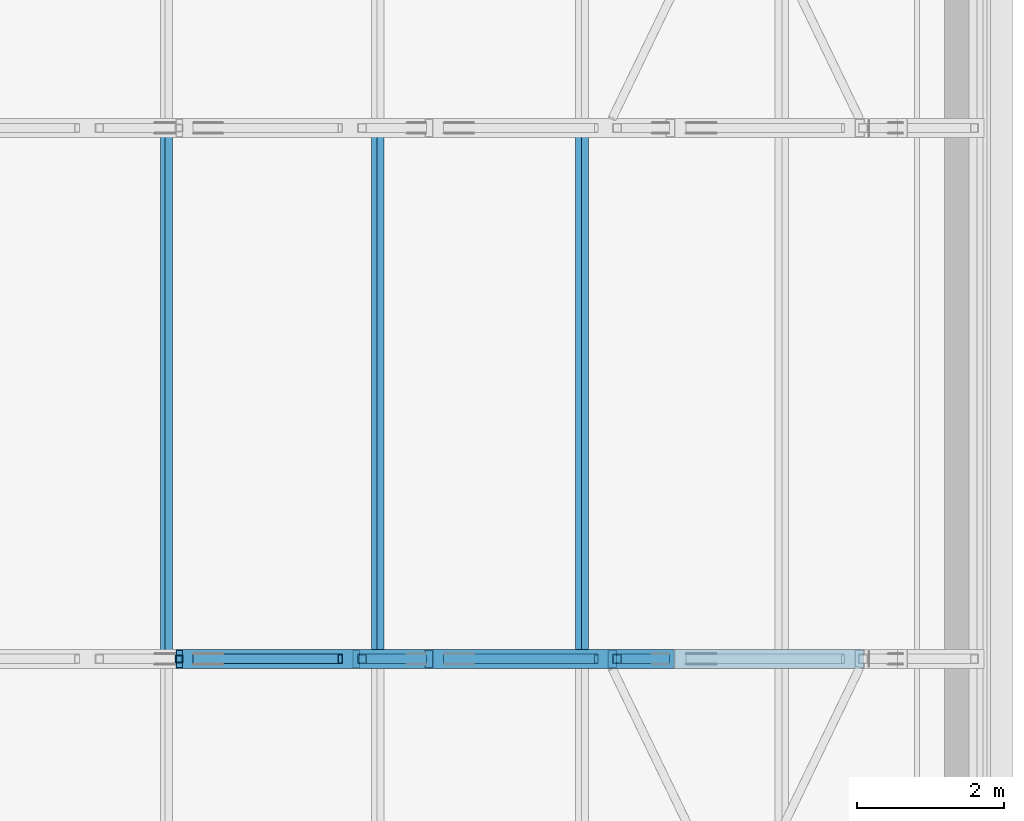
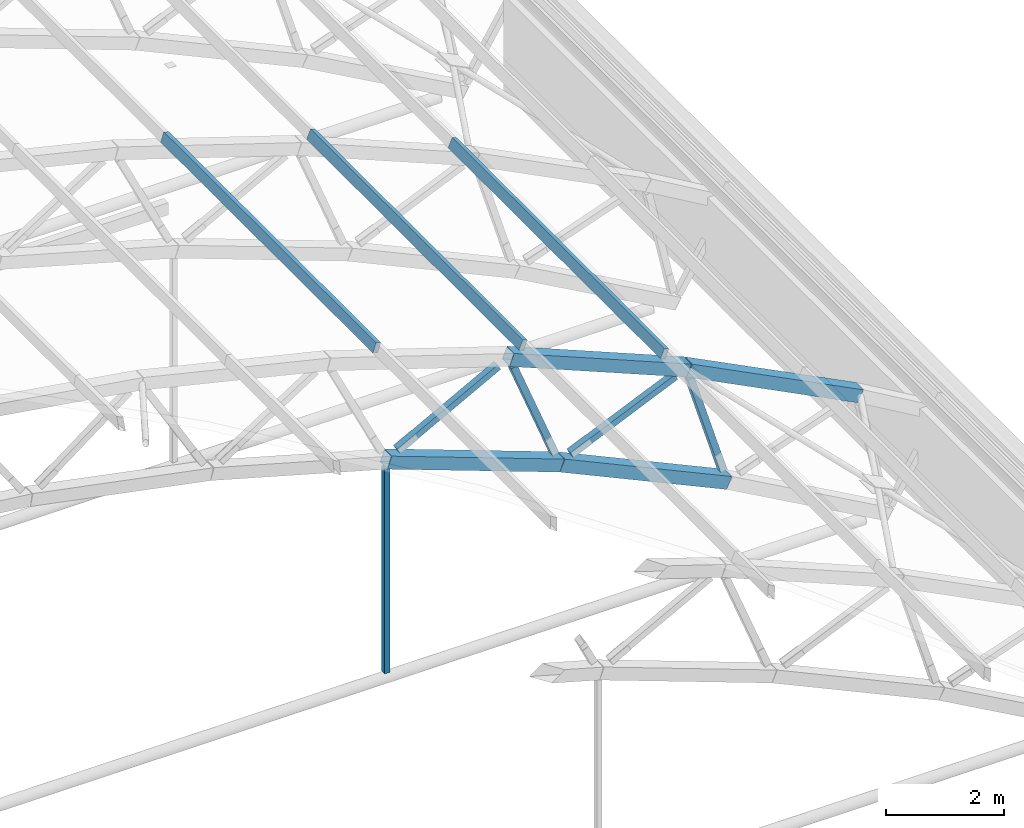
# One storey, part 25 of 127: 12 members.
"""IFC4 building model written with IfcOpenShell, lengths in metres."""

from ifc_helpers import new_model, si_unit, direction, frame, origin, origin_2d, place, context, subcontext, project, spatial, hollow_rectangle, extrude, material, material_profile, profile_set, type_object, element, save


model = new_model("IFC4")

# Units and contexts
model_context = context("Model", 3, precision=1e-05, world=origin(), true_north=direction((0.0, 1.0)))
body_context = subcontext(model_context, "Body", "Model", "MODEL_VIEW")
ifc_project = project(units=[si_unit("LENGTHUNIT", "METRE"), si_unit("AREAUNIT", "SQUARE_METRE"), si_unit("VOLUMEUNIT", "CUBIC_METRE"), si_unit("PLANEANGLEUNIT", "RADIAN"), si_unit("MASSUNIT", "GRAM", prefix="KILO")], contexts=[model_context])

# Site, building, storey
site_placement = place(None, origin())
site = spatial("IfcSite", under=ifc_project, at=site_placement, CompositionType="ELEMENT")
building_placement = place(site_placement, origin())
building = spatial("IfcBuilding", under=site, at=building_placement, Name="Verrick Yard Athletic Hall", CompositionType="ELEMENT")
storey_placement = place(building_placement, frame((0.0, 0.0, 14.0)))
storey = spatial("IfcBuildingStorey", under=building, at=storey_placement, Name="L03", CompositionType="ELEMENT", Elevation=14.0)

# Members
ifc_material = material(Name="Structural steel HSS Class C 350W (CSA G40.20/G40.21)", Category="steel")
ifc_material_profile_1 = material_profile(ifc_material, hollow_rectangle(XDim=0.25390625, YDim=0.25390625, WallThickness=0.009521484375, at=origin_2d()), Name="HSS254x254x9.5")
ifc_profile_set_1 = profile_set([ifc_material_profile_1], Name="Structural steel HSS Class C 350W (CSA G40.20/G40.21)")
member_type_1 = type_object("IfcMemberType", Name="HB bottom chord HSS254x254x9.5", PredefinedType="CHORD", material=ifc_profile_set_1)
member_1_placement = place(storey_placement, frame((66.197265625, 93.60009765625, 4.51123046875), z_axis=(0.938394107905, 0.0, -0.345566922966), x_axis=(0.0, 1.0, 0.0)))
element("IfcMember", 1, at=member_1_placement, inside=storey, type_object=member_type_1, Name="Truss TB4 bottom chord 12", PredefinedType="CHORD", context=body_context, shape_type="SweptSolid", body=[
    extrude(hollow_rectangle(XDim=0.25390625, YDim=0.25390625, WallThickness=0.009521484375, at=origin_2d()), origin(), (0.0, 0.0, 1.0), 3.595947265625),
])
member_2_placement = place(storey_placement, frame((69.580810546875, 93.60009765625, 3.2646484375), z_axis=(0.908445597889, 0.0, -0.418003104865), x_axis=(0.0, 1.0, 0.0)))
element("IfcMember", 2, at=member_2_placement, inside=storey, type_object=member_type_1, Name="Truss TB4 bottom chord 13", PredefinedType="CHORD", context=body_context, shape_type="SweptSolid", body=[
    extrude(hollow_rectangle(XDim=0.25390625, YDim=0.25390625, WallThickness=0.009521484375, at=origin_2d()), origin(), (0.0, 0.0, 1.0), 3.59619140625),
])
ifc_material_profile_2 = material_profile(ifc_material, hollow_rectangle(XDim=0.1015625, YDim=0.203125, WallThickness=0.009521484375, at=origin_2d()), Name="HSS203x102x9.5")
ifc_profile_set_2 = profile_set([ifc_material_profile_2], Name="Structural steel HSS Class C 350W (CSA G40.20/G40.21)")
member_type_2 = type_object("IfcMemberType", Name="HB purlin HSS203x102x9.5", PredefinedType="PURLIN", material=ifc_profile_set_2)
for number, where, z_axis, x_axis, name in (
    (3, (66.0205078125, 93.60009765625, 6.872802734375), (0.0, 1.0, 0.0), (-0.951213620533, 0.0, 0.308533058379), "HB-PU-B-4-14"),
    (4, (68.885009765625, 93.60009765625, 5.92431640625), (0.0, 1.0, 0.0), (-0.924122791552, 0.0, 0.382095624331), "HB-PU-B-4-15"),
    (5, (71.6572265625, 93.60009765625, 4.778076171875), (0.0, 1.0, 0.0), (-0.924122791552, 0.0, 0.382095624331), "HB-PU-B-4-16"),
):
    element("IfcMember", number, at=place(storey_placement, frame(where, z_axis=z_axis, x_axis=x_axis)), inside=storey, type_object=member_type_2, Name=name, PredefinedType="PURLIN", context=body_context, shape_type="SweptSolid", body=[
        extrude(hollow_rectangle(XDim=0.1015625, YDim=0.203125, WallThickness=0.009521484375, at=origin_2d()), origin(), (0.0, 0.0, 1.0), 7.199951171875),
    ])
ifc_material_profile_3 = material_profile(ifc_material, hollow_rectangle(XDim=0.25390625, YDim=0.25390625, WallThickness=0.009521484375, at=origin_2d()), Name="HSS254x254x9.5")
ifc_profile_set_3 = profile_set([ifc_material_profile_3], Name="Structural steel HSS Class C 350W (CSA G40.20/G40.21)")
member_type_3 = type_object("IfcMemberType", Name="HB top chord HSS254x254x9.5", PredefinedType="CHORD", material=ifc_profile_set_3)
member_3_placement = place(storey_placement, frame((68.592529296875, 93.60009765625, 5.7978515625), z_axis=(0.924130129149, 0.0, -0.382077877402), x_axis=(0.0, 1.0, 0.0)))
element("IfcMember", 6, at=member_3_placement, inside=storey, type_object=member_type_3, Name="Truss TB4 top chord 13", PredefinedType="CHORD", context=body_context, shape_type="SweptSolid", body=[
    extrude(hollow_rectangle(XDim=0.25390625, YDim=0.25390625, WallThickness=0.009521484375, at=origin_2d()), origin(), (0.0, 0.0, 1.0), 3.752685546875),
])
member_4_placement = place(storey_placement, frame((72.069580078125, 93.60009765625, 4.35986328125), z_axis=(0.891336584454, 0.0, -0.453342137037), x_axis=(0.0, 1.0, 0.0)))
element("IfcMember", 7, at=member_4_placement, inside=storey, type_object=member_type_3, Name="Truss TB4 top chord 14", PredefinedType="CHORD", context=body_context, shape_type="SweptSolid", body=[
    extrude(hollow_rectangle(XDim=0.25390625, YDim=0.25390625, WallThickness=0.009521484375, at=origin_2d()), origin(), (0.0, 0.0, 1.0), 3.754150390625),
])
ifc_material_profile_4 = material_profile(ifc_material, hollow_rectangle(XDim=0.1015625, YDim=0.1015625, WallThickness=0.00634765625, at=origin_2d()), Name="HSS102x102x6.4")
ifc_profile_set_4 = profile_set([ifc_material_profile_4], Name="Structural steel HSS Class C 350W (CSA G40.20/G40.21)")
member_type_4 = type_object("IfcMemberType", Name="HB truss hanger HSS102x102x6.4", PredefinedType="MEMBER", material=ifc_profile_set_4)
member_5_placement = place(storey_placement, frame((66.192626953125, 93.60009765625, 4.35888671875), z_axis=(0.0, 0.0, -1.0), x_axis=(0.0, -1.0, 0.0)))
element("IfcMember", 8, at=member_5_placement, inside=storey, type_object=member_type_4, Name="Truss TB4 hanger 3", PredefinedType="MEMBER", context=body_context, shape_type="SweptSolid", body=[
    extrude(hollow_rectangle(XDim=0.1015625, YDim=0.1015625, WallThickness=0.00634765625, at=origin_2d()), origin(), (0.0, 0.0, 1.0), 4.249267578125),
])
ifc_material_profile_5 = material_profile(ifc_material, hollow_rectangle(XDim=0.126953125, YDim=0.126953125, WallThickness=0.009521484375, at=origin_2d()), Name="HSS127x127x9.5")
ifc_profile_set_5 = profile_set([ifc_material_profile_5], Name="Structural steel HSS Class C 350W (CSA G40.20/G40.21)")
member_type_5 = type_object("IfcMemberType", Name="HB truss web HSS127x127x9.5", PredefinedType="BRACE", material=ifc_profile_set_5)
for number, where, z_axis, x_axis, name in (
    (9, (66.41162109375, 93.60009765625, 4.630615234375), (0.880902446091, 0.0, 0.473297877103), (0.0, 1.0, 0.0), "Truss TB4 web 23"),
    (10, (68.673828125, 93.60009765625, 5.579345703125), (0.363632709383, 0.0, -0.93154240519), (0.0, 1.0, 0.0), "Truss TB4 web 24"),
    (11, (69.803955078125, 93.60009765625, 3.366943359375), (0.915297302882, 0.0, 0.402778906272), (0.0, 1.0, 0.0), "Truss TB4 web 25"),
    (12, (72.1337890625, 93.60009765625, 4.135498046875), (0.289443070658, 0.0, -0.957195230268), (0.0, 1.0, 0.0), "Truss TB4 web 26"),
):
    element("IfcMember", number, at=place(storey_placement, frame(where, z_axis=z_axis, x_axis=x_axis)), inside=storey, type_object=member_type_5, Name=name, PredefinedType="BRACE", context=body_context, shape_type="SweptSolid", body=[
        extrude(hollow_rectangle(XDim=0.126953125, YDim=0.126953125, WallThickness=0.009521484375, at=origin_2d()), origin(), (0.0, 0.0, 1.0), 2.233642578125),
    ])

save(model, "model.ifc")
